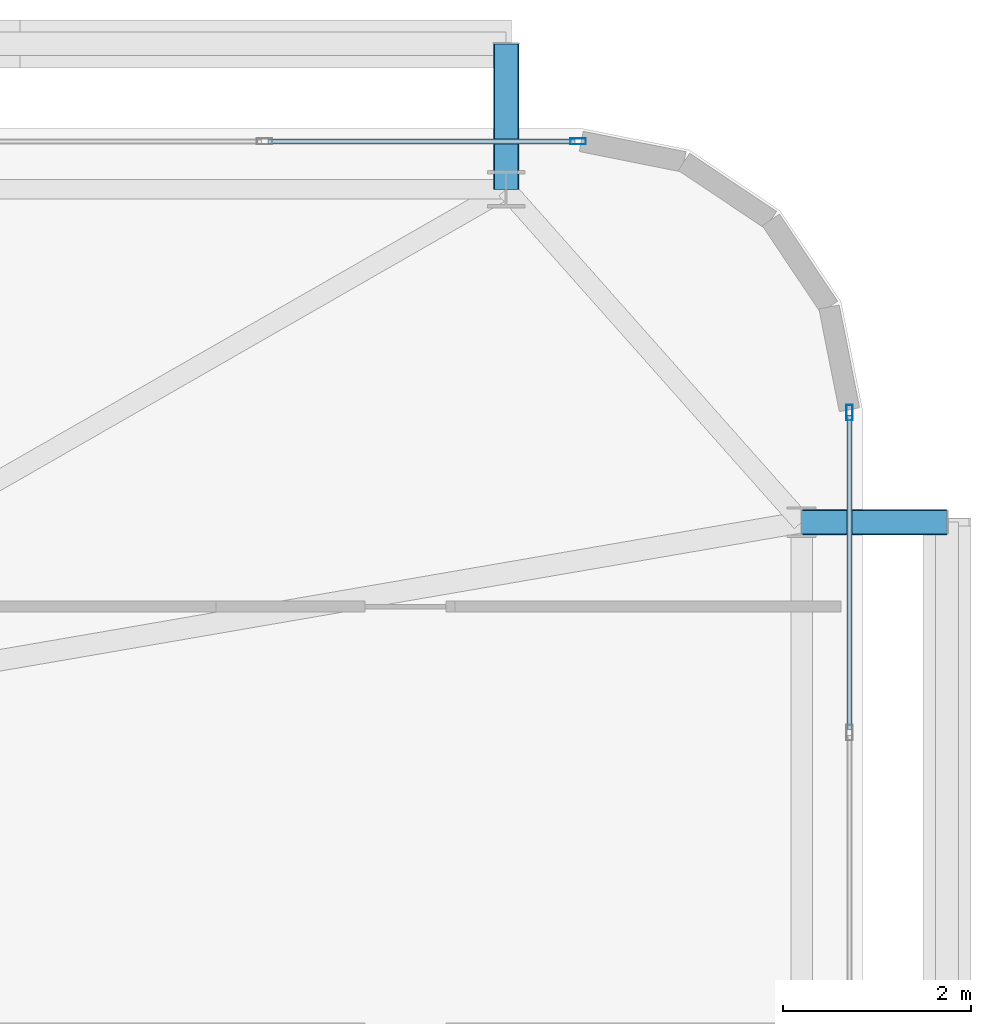
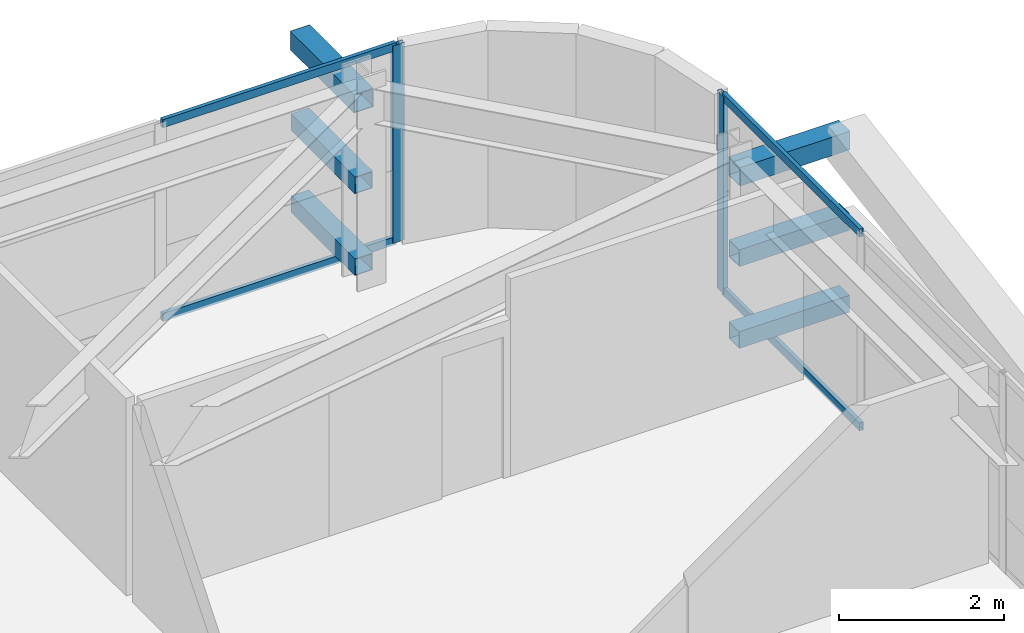
# One storey, part 41 of 59: 12 members, 2 elements without a shape of their own.
"""IFC4 building model written with IfcOpenShell, lengths in metres."""

from ifc_helpers import new_model, si_unit, direction, frame, origin, origin_2d, place, context, subcontext, project, spatial, hollow_rectangle, extrude, source, transform, mapped, material, layer, layer_set, material_profile, profile_set, type_object, element, aggregate, save


model = new_model("IFC4")

# Units and contexts
model_context = context("Model", 3, precision=1e-05, world=origin(), true_north=direction((0.0, 1.0)))
body_context = subcontext(model_context, "Body", "Model", "MODEL_VIEW")
ifc_project = project(units=[si_unit("LENGTHUNIT", "METRE"), si_unit("AREAUNIT", "SQUARE_METRE"), si_unit("VOLUMEUNIT", "CUBIC_METRE"), si_unit("PLANEANGLEUNIT", "RADIAN"), si_unit("MASSUNIT", "GRAM", prefix="KILO")], contexts=[model_context])

# Site, building, storey
site_placement = place(None, origin())
site = spatial("IfcSite", under=ifc_project, at=site_placement, CompositionType="ELEMENT")
building_placement = place(site_placement, origin())
building = spatial("IfcBuilding", under=site, at=building_placement, Name="Taldren Reach Tower", CompositionType="ELEMENT")
storey_placement = place(building_placement, frame((0.0, 0.0, 19.949951171875)))
storey = spatial("IfcBuildingStorey", under=building, at=storey_placement, Name="L05", CompositionType="ELEMENT", Elevation=19.949951171875)

# Members
ifc_material_1 = material(Name="Steel Gr 450 (C450L0)", Category="steel")
ifc_material_profile_1 = material_profile(ifc_material_1, hollow_rectangle(XDim=0.27490234375, YDim=0.27490234375, WallThickness=0.00927734375, at=origin_2d()), Name="275x275x9.3SHS")
ifc_profile_set_1 = profile_set([ifc_material_profile_1], Name="Steel Gr 450 (C450L0)")
member_type_1 = type_object("IfcMemberType", Name="MB-TIE273", PredefinedType="STRUT", material=ifc_profile_set_1)
shared_shape_1 = source(origin(), body_context, "Body", "SweptSolid", [
    extrude(hollow_rectangle(XDim=0.27490234375, YDim=0.27490234375, WallThickness=0.00927734375, at=origin_2d()), origin(), (0.0, 0.0, 1.0), 1.5498046875),
])
for number, where, z_axis, x_axis, name in (
    (1, (61.199951171875, 37.85009765625, 2.650146484375), (0.0, 1.0, 0.0), (-1.0, 0.0, 0.0), "Exoskeleton diaphragm tie strut B1-N6 L05"),
    (2, (64.35009765625, 34.300048828125, 2.650146484375), (1.0, 0.0, 0.0), (0.0, 1.0, 0.0), "Exoskeleton diaphragm tie strut B1-E3 L05"),
):
    element("IfcMember", number, at=place(storey_placement, frame(where, z_axis=z_axis, x_axis=x_axis)), inside=storey, type_object=member_type_1, Name=name, PredefinedType="STRUT", context=body_context, shape_type="MappedRepresentation", body=[
        mapped(shared_shape_1, transform((0.0, 0.0, 0.0), scale=1.0)),
    ])
ifc_material_2 = material(Name="Steel Gr 350 (C350L0)", Category="steel")
ifc_material_profile_2 = material_profile(ifc_material_2, hollow_rectangle(XDim=0.25, YDim=0.25, WallThickness=0.010009765625, at=origin_2d()), Name="250x250x10.0SHS")
ifc_profile_set_2 = profile_set([ifc_material_profile_2], Name="Steel Gr 350 (C350L0)")
member_type_2 = type_object("IfcMemberType", Name="MB-POST250", PredefinedType="POST", material=ifc_profile_set_2)
shared_shape_2 = source(origin(), body_context, "Body", "SweptSolid", [
    extrude(hollow_rectangle(XDim=0.25, YDim=0.25, WallThickness=0.010009765625, at=origin_2d()), origin(), (0.0, 0.0, 1.0), 1.5498046875),
])
for number, where, z_axis, x_axis, name in (
    (3, (61.199951171875, 37.85009765625, 0.219970703125), (0.0, 1.0, 0.0), (-1.0, 0.0, 0.0), "Exoskeleton base diaphragm tie strut B1-N6 L05"),
    (4, (64.35009765625, 34.300048828125, 0.219970703125), (1.0, 0.0, 0.0), (0.0, 1.0, 0.0), "Exoskeleton base diaphragm tie strut B1-E3 L05"),
    (5, (61.199951171875, 37.85009765625, 1.43505859375), (0.0, 1.0, 0.0), (-1.0, 0.0, 0.0), "Exoskeleton mid-tier diaphragm tie B1-N6 L05"),
    (6, (64.35009765625, 34.300048828125, 1.43505859375), (1.0, 0.0, 0.0), (0.0, 1.0, 0.0), "Exoskeleton mid-tier diaphragm tie B1-E3 L05"),
):
    element("IfcMember", number, at=place(storey_placement, frame(where, z_axis=z_axis, x_axis=x_axis)), inside=storey, type_object=member_type_2, Name=name, PredefinedType="POST", context=body_context, shape_type="MappedRepresentation", body=[
        mapped(shared_shape_2, transform((0.0, 0.0, 0.0), scale=1.0)),
    ])

# Curtain wall, member
ifc_material_3 = material(Name="Aluminium and Low-E Glass Unitised System", Category="aluminium")
ifc_layer = layer(ifc_material_3, 0.159912109375)
ifc_layer_set = layer_set([ifc_layer], Name="Aluminium and Low-E Glass Unitised System")
curtain_wall_type = type_object("IfcCurtainWallType", Name="CW-SYS-2", PredefinedType="NOTDEFINED", material=ifc_layer_set)
curtain_wall_1_placement = place(storey_placement, origin())
curtain_wall_1 = element("IfcCurtainWall", 7, at=curtain_wall_1_placement, inside=storey, type_object=curtain_wall_type, Name="Unitised curtain wall CW-L05-N", PredefinedType="NOTDEFINED")
ifc_material_4 = material(Name="Anodised Aluminium 6063-T6", Category="aluminium")
ifc_material_profile_3 = material_profile(ifc_material_4, hollow_rectangle(XDim=0.06494140625, YDim=0.1650390625, WallThickness=0.00390625, at=origin_2d()), Name="ALU-165x65x4RHS")
ifc_profile_set_3 = profile_set([ifc_material_profile_3], Name="Anodised Aluminium 6063-T6")
member_type_3 = type_object("IfcMemberType", Name="CW-MUL-165", PredefinedType="MULLION", material=ifc_profile_set_3)
shared_shape_3 = source(origin(), body_context, "Body", "SweptSolid", [
    extrude(hollow_rectangle(XDim=0.06494140625, YDim=0.1650390625, WallThickness=0.00390625, at=origin_2d()), origin(), (0.0, 0.0, 1.0), 2.929931640625),
])
member_1_placement = place(storey_placement, frame((61.967529296875, 38.360107421875, 0.0), z_axis=(0.0, 0.0, 1.0), x_axis=(0.0, -1.0, 0.0)))
member_1 = element("IfcMember", 8, at=member_1_placement, type_object=member_type_3, Name="CW-2 mullion 1", PredefinedType="MULLION", context=body_context, shape_type="MappedRepresentation", body=[
    mapped(shared_shape_3, transform((0.0, 0.0, 0.0), scale=1.0)),
])

curtain_wall_2_placement = place(storey_placement, origin())
curtain_wall_2 = element("IfcCurtainWall", 9, at=curtain_wall_2_placement, inside=storey, type_object=curtain_wall_type, Name="Unitised curtain wall CW-L05-E", PredefinedType="NOTDEFINED")
member_2_placement = place(storey_placement, frame((64.860107421875, 35.467529296875, 0.0), z_axis=(0.0, 0.0, 1.0), x_axis=(-1.0, 0.0, 0.0)))
member_2 = element("IfcMember", 10, at=member_2_placement, type_object=member_type_3, Name="CW-2 mullion 10", PredefinedType="MULLION", context=body_context, shape_type="MappedRepresentation", body=[
    mapped(shared_shape_3, transform((0.0, 0.0, 0.0), scale=1.0)),
])

# Member
ifc_material_profile_4 = material_profile(ifc_material_4, hollow_rectangle(XDim=0.054931640625, YDim=0.1201171875, WallThickness=0.0029296875, at=origin_2d()), Name="ALU-120x55x3RHS")
ifc_profile_set_4 = profile_set([ifc_material_profile_4], Name="Anodised Aluminium 6063-T6")
member_type_4 = type_object("IfcMemberType", Name="CW-TRN-135", PredefinedType="USERDEFINED", material=ifc_profile_set_4)
shared_shape_4 = source(origin(), body_context, "Body", "SweptSolid", [
    extrude(hollow_rectangle(XDim=0.054931640625, YDim=0.1201171875, WallThickness=0.0029296875, at=origin_2d()), origin(), (0.0, 0.0, 1.0), 3.277587890625),
])
member_3_placement = place(storey_placement, frame((61.93505859375, 38.360107421875, 0.027587890625), z_axis=(-1.0, 0.0, 0.0), x_axis=(0.0, -1.0, 0.0)))
member_3 = element("IfcMember", 11, at=member_3_placement, type_object=member_type_4, Name="CW-2 transom 1.1", ObjectType="TRANSOM", PredefinedType="USERDEFINED", context=body_context, shape_type="MappedRepresentation", body=[
    mapped(shared_shape_4, transform((0.0, 0.0, 0.0), scale=1.0)),
])

member_4_placement = place(storey_placement, frame((61.93505859375, 38.360107421875, 2.902587890625), z_axis=(-1.0, 0.0, 0.0), x_axis=(0.0, -1.0, 0.0)))
member_4 = element("IfcMember", 12, at=member_4_placement, type_object=member_type_4, Name="CW-2 transom 1.2", ObjectType="TRANSOM", PredefinedType="USERDEFINED", context=body_context, shape_type="MappedRepresentation", body=[
    mapped(shared_shape_4, transform((0.0, 0.0, 0.0), scale=1.0)),
])

aggregate(curtain_wall_1, [member_1, member_3, member_4])

shared_shape_5 = source(origin(), body_context, "Body", "SweptSolid", [
    extrude(hollow_rectangle(XDim=0.054931640625, YDim=0.1201171875, WallThickness=0.0029296875, at=origin_2d()), origin(), (0.0, 0.0, 1.0), 3.346923828125),
])
member_5_placement = place(storey_placement, frame((64.860107421875, 32.088134765625, 0.027587890625), z_axis=(0.0, 1.0, 0.0), x_axis=(-1.0, 0.0, 0.0)))
member_5 = element("IfcMember", 13, at=member_5_placement, type_object=member_type_4, Name="CW-2 transom 9.1", ObjectType="TRANSOM", PredefinedType="USERDEFINED", context=body_context, shape_type="MappedRepresentation", body=[
    mapped(shared_shape_5, transform((0.0, 0.0, 0.0), scale=1.0)),
])

member_6_placement = place(storey_placement, frame((64.860107421875, 32.088134765625, 2.902587890625), z_axis=(0.0, 1.0, 0.0), x_axis=(-1.0, 0.0, 0.0)))
member_6 = element("IfcMember", 14, at=member_6_placement, type_object=member_type_4, Name="CW-2 transom 9.2", ObjectType="TRANSOM", PredefinedType="USERDEFINED", context=body_context, shape_type="MappedRepresentation", body=[
    mapped(shared_shape_5, transform((0.0, 0.0, 0.0), scale=1.0)),
])

aggregate(curtain_wall_2, [member_2, member_5, member_6])

save(model, "model.ifc")
